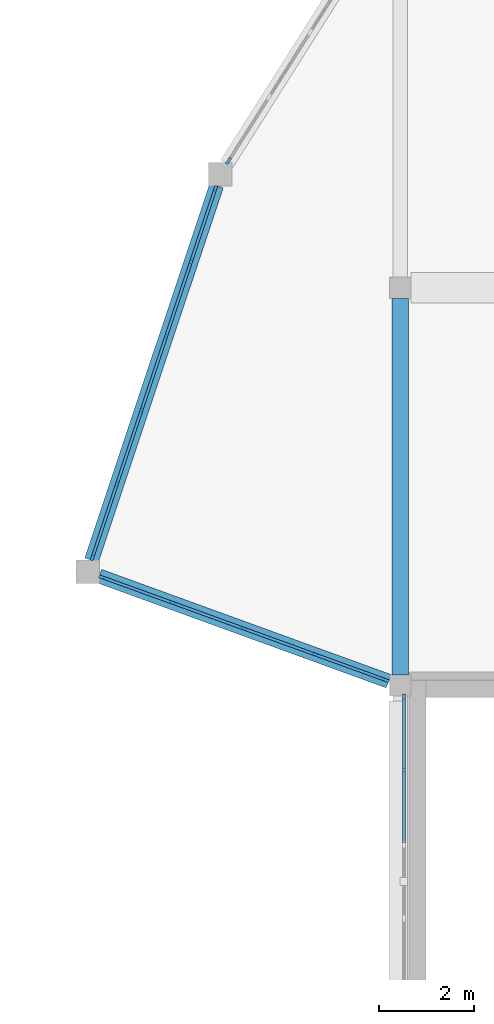
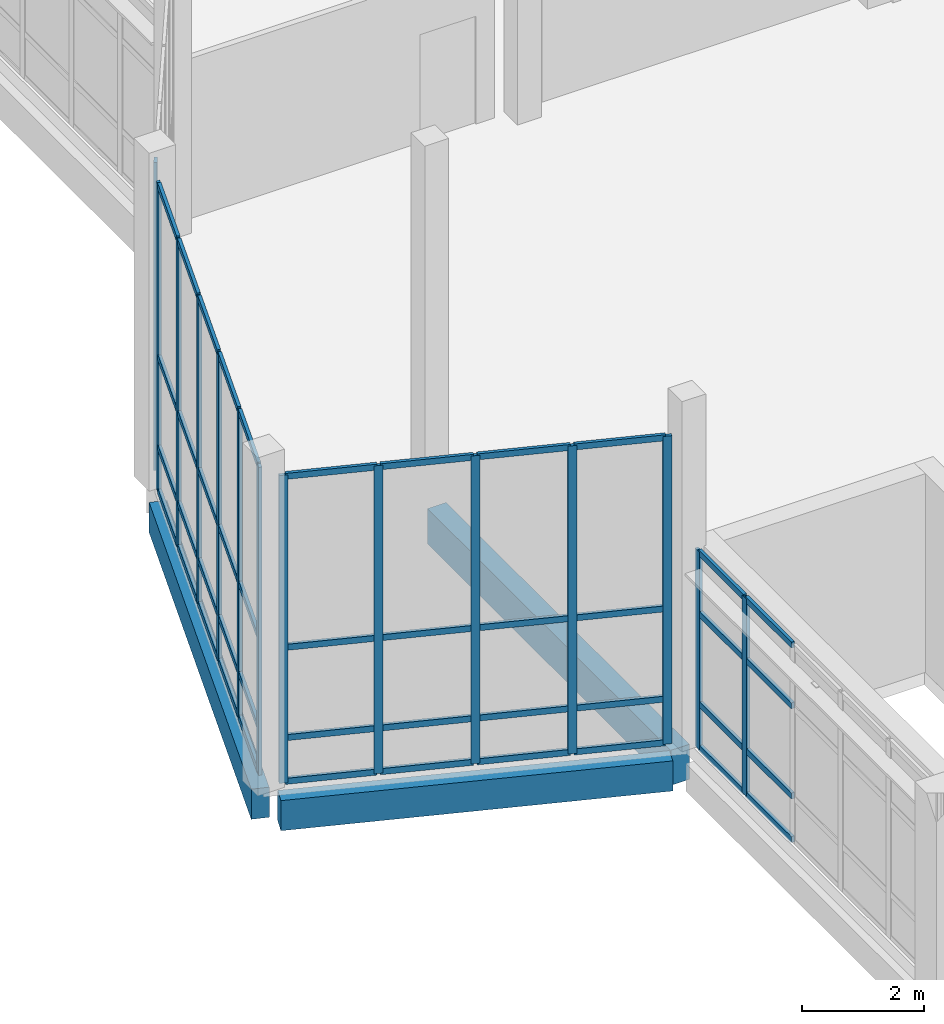
# One storey, part 31 of 78: 58 members, 3 beams, 4 elements without a shape of their own.
"""IFC4 building model written with IfcOpenShell, lengths in metres."""

from ifc_helpers import new_model, si_unit, direction, frame, origin, origin_2d, place, context, subcontext, project, spatial, rectangle, extrude, material, material_profile, profile_set, type_object, element, aggregate, save


model = new_model("IFC4")

# Units and contexts
model_context = context("Model", 3, precision=1e-05, world=origin(), true_north=direction((0.0, 1.0)))
body_context = subcontext(model_context, "Body", "Model", "MODEL_VIEW")
ifc_project = project(units=[si_unit("LENGTHUNIT", "METRE"), si_unit("AREAUNIT", "SQUARE_METRE"), si_unit("VOLUMEUNIT", "CUBIC_METRE"), si_unit("PLANEANGLEUNIT", "RADIAN"), si_unit("MASSUNIT", "GRAM", prefix="KILO")], contexts=[model_context])

# Site, building, storey
site_placement = place(None, origin())
site = spatial("IfcSite", under=ifc_project, at=site_placement, CompositionType="ELEMENT")
building_placement = place(site_placement, origin())
building = spatial("IfcBuilding", under=site, at=building_placement, Name="Qaldarim Faculty of Natural and Applied Sciences", CompositionType="ELEMENT")
storey_placement = place(building_placement, frame((0.0, 0.0, 18.60009765625)))
storey = spatial("IfcBuildingStorey", under=building, at=storey_placement, Name="L04", CompositionType="ELEMENT", Elevation=18.60009765625)

# Curtain wall, members
ifc_material_1 = material(Name="Anodised aluminium AW-6063", Category="aluminium")
curtain_wall_type = type_object("IfcCurtainWallType", Name="CurtainWallSystem-M1600", PredefinedType="USERDEFINED", material=ifc_material_1)
curtain_wall_1_placement = place(storey_placement, origin())
curtain_wall_1 = element("IfcCurtainWall", 1, at=curtain_wall_1_placement, inside=storey, type_object=curtain_wall_type, Name="Curtain wall CW-L04-W-X24Y08", ObjectType="UNITISED FACADE", PredefinedType="USERDEFINED")
ifc_material_profile_1 = material_profile(ifc_material_1, rectangle(XDim=0.06005859375, YDim=0.14990234375, at=origin_2d()), Name="ALU-M60x150")
ifc_profile_set_1 = profile_set([ifc_material_profile_1], Name="Anodised aluminium AW-6063")
member_type_1 = type_object("IfcMemberType", Name="Mullion-ALU60x150", PredefinedType="MULLION", material=ifc_profile_set_1)
member_1_placement = place(storey_placement, frame((151.8798828125, 66.949951171875, 0.0), z_axis=(0.0, 0.0, 1.0), x_axis=(1.0, 0.0, 0.0)))
member_1 = element("IfcMember", 2, at=member_1_placement, type_object=member_type_1, Name="Mullion 1 of CW-L04-W-X24Y08", PredefinedType="MULLION", context=body_context, shape_type="SweptSolid", body=[
    extrude(rectangle(XDim=0.06005859375, YDim=0.14990234375, at=origin_2d()), origin(), (0.0, 0.0, 1.0), 3.93994140625),
])
member_2_placement = place(storey_placement, frame((151.8798828125, 65.4130859375, 0.0), z_axis=(0.0, 0.0, 1.0), x_axis=(1.0, 0.0, 0.0)))
member_2 = element("IfcMember", 3, at=member_2_placement, type_object=member_type_1, Name="Mullion 2 of CW-L04-W-X24Y08", PredefinedType="MULLION", context=body_context, shape_type="SweptSolid", body=[
    extrude(rectangle(XDim=0.06005859375, YDim=0.14990234375, at=origin_2d()), origin(), (0.0, 0.0, 1.0), 3.93994140625),
])

# Curtain wall, member
curtain_wall_2_placement = place(storey_placement, origin())
curtain_wall_2 = element("IfcCurtainWall", 4, at=curtain_wall_2_placement, inside=storey, type_object=curtain_wall_type, Name="Curtain wall CW-PROW-L04-1", ObjectType="UNITISED FACADE", PredefinedType="USERDEFINED")
member_3_placement = place(storey_placement, frame((148.176025390625, 78.2802734375, 0.0), z_axis=(0.0, 0.0, 1.0), x_axis=(0.844608368004, -0.535384632481, 0.0)))
member_3 = element("IfcMember", 5, at=member_3_placement, type_object=member_type_1, Name="Mullion 5 of CW-PROW-L04-1", PredefinedType="MULLION", context=body_context, shape_type="SweptSolid", body=[
    extrude(rectangle(XDim=0.06005859375, YDim=0.14990234375, at=origin_2d()), origin(), (0.0, 0.0, 1.0), 6.139892578125),
])
aggregate(curtain_wall_2, [member_3])

# Curtain wall, members
curtain_wall_3_placement = place(storey_placement, origin())
curtain_wall_3 = element("IfcCurtainWall", 6, at=curtain_wall_3_placement, inside=storey, type_object=curtain_wall_type, Name="Curtain wall CW-PROW-L04-2", ObjectType="UNITISED FACADE", PredefinedType="USERDEFINED")
member_4_placement = place(storey_placement, frame((147.8955078125, 77.6865234375, 0.0), z_axis=(0.0, 0.0, 1.0), x_axis=(0.948683015593, -0.316228613389, 0.0)))
member_4 = element("IfcMember", 7, at=member_4_placement, type_object=member_type_1, Name="Mullion 1 of CW-PROW-L04-2", PredefinedType="MULLION", context=body_context, shape_type="SweptSolid", body=[
    extrude(rectangle(XDim=0.06005859375, YDim=0.14990234375, at=origin_2d()), origin(), (0.0, 0.0, 1.0), 6.139892578125),
])
member_5_placement = place(storey_placement, frame((147.383056640625, 76.14892578125, 0.0), z_axis=(0.0, 0.0, 1.0), x_axis=(0.948683015593, -0.316228613389, 0.0)))
member_5 = element("IfcMember", 8, at=member_5_placement, type_object=member_type_1, Name="Mullion 2 of CW-PROW-L04-2", PredefinedType="MULLION", context=body_context, shape_type="SweptSolid", body=[
    extrude(rectangle(XDim=0.06005859375, YDim=0.14990234375, at=origin_2d()), origin(), (0.0, 0.0, 1.0), 6.139892578125),
])
member_6_placement = place(storey_placement, frame((146.861083984375, 74.5830078125, 0.0), z_axis=(0.0, 0.0, 1.0), x_axis=(0.948683015593, -0.316228613389, 0.0)))
member_6 = element("IfcMember", 9, at=member_6_placement, type_object=member_type_1, Name="Mullion 3 of CW-PROW-L04-2", PredefinedType="MULLION", context=body_context, shape_type="SweptSolid", body=[
    extrude(rectangle(XDim=0.06005859375, YDim=0.14990234375, at=origin_2d()), origin(), (0.0, 0.0, 1.0), 6.139892578125),
])
member_7_placement = place(storey_placement, frame((146.339111328125, 73.01708984375, 0.0), z_axis=(0.0, 0.0, 1.0), x_axis=(0.948683015593, -0.316228613389, 0.0)))
member_7 = element("IfcMember", 10, at=member_7_placement, type_object=member_type_1, Name="Mullion 4 of CW-PROW-L04-2", PredefinedType="MULLION", context=body_context, shape_type="SweptSolid", body=[
    extrude(rectangle(XDim=0.06005859375, YDim=0.14990234375, at=origin_2d()), origin(), (0.0, 0.0, 1.0), 6.139892578125),
])
member_8_placement = place(storey_placement, frame((145.81689453125, 71.450927734375, 0.0), z_axis=(0.0, 0.0, 1.0), x_axis=(0.948683015593, -0.316228613389, 0.0)))
member_8 = element("IfcMember", 11, at=member_8_placement, type_object=member_type_1, Name="Mullion 5 of CW-PROW-L04-2", PredefinedType="MULLION", context=body_context, shape_type="SweptSolid", body=[
    extrude(rectangle(XDim=0.06005859375, YDim=0.14990234375, at=origin_2d()), origin(), (0.0, 0.0, 1.0), 6.139892578125),
])
member_9_placement = place(storey_placement, frame((145.304443359375, 69.91357421875, 0.0), z_axis=(0.0, 0.0, 1.0), x_axis=(0.948683015593, -0.316228613389, 0.0)))
member_9 = element("IfcMember", 12, at=member_9_placement, type_object=member_type_1, Name="Mullion 6 of CW-PROW-L04-2", PredefinedType="MULLION", context=body_context, shape_type="SweptSolid", body=[
    extrude(rectangle(XDim=0.06005859375, YDim=0.14990234375, at=origin_2d()), origin(), (0.0, 0.0, 1.0), 6.139892578125),
])

curtain_wall_4_placement = place(storey_placement, origin())
curtain_wall_4 = element("IfcCurtainWall", 13, at=curtain_wall_4_placement, inside=storey, type_object=curtain_wall_type, Name="Curtain wall CW-PROW-L04-3", ObjectType="UNITISED FACADE", PredefinedType="USERDEFINED")
member_10_placement = place(storey_placement, frame((145.50830078125, 69.48486328125, 0.0), z_axis=(0.0, 0.0, 1.0), x_axis=(0.340871837244, 0.94010977581, 0.0)))
member_10 = element("IfcMember", 14, at=member_10_placement, type_object=member_type_1, Name="Mullion 1 of CW-PROW-L04-3", PredefinedType="MULLION", context=body_context, shape_type="SweptSolid", body=[
    extrude(rectangle(XDim=0.06005859375, YDim=0.14990234375, at=origin_2d()), origin(), (0.0, 0.0, 1.0), 6.139892578125),
])
member_11_placement = place(storey_placement, frame((146.989990234375, 68.947509765625, 0.0), z_axis=(0.0, 0.0, 1.0), x_axis=(0.340871837244, 0.94010977581, 0.0)))
member_11 = element("IfcMember", 15, at=member_11_placement, type_object=member_type_1, Name="Mullion 2 of CW-PROW-L04-3", PredefinedType="MULLION", context=body_context, shape_type="SweptSolid", body=[
    extrude(rectangle(XDim=0.06005859375, YDim=0.14990234375, at=origin_2d()), origin(), (0.0, 0.0, 1.0), 6.139892578125),
])
member_12_placement = place(storey_placement, frame((148.5, 68.39990234375, 0.0), z_axis=(0.0, 0.0, 1.0), x_axis=(0.340871837244, 0.94010977581, 0.0)))
member_12 = element("IfcMember", 16, at=member_12_placement, type_object=member_type_1, Name="Mullion 3 of CW-PROW-L04-3", PredefinedType="MULLION", context=body_context, shape_type="SweptSolid", body=[
    extrude(rectangle(XDim=0.06005859375, YDim=0.14990234375, at=origin_2d()), origin(), (0.0, 0.0, 1.0), 6.139892578125),
])
member_13_placement = place(storey_placement, frame((150.010009765625, 67.8525390625, 0.0), z_axis=(0.0, 0.0, 1.0), x_axis=(0.340871837244, 0.94010977581, 0.0)))
member_13 = element("IfcMember", 17, at=member_13_placement, type_object=member_type_1, Name="Mullion 4 of CW-PROW-L04-3", PredefinedType="MULLION", context=body_context, shape_type="SweptSolid", body=[
    extrude(rectangle(XDim=0.06005859375, YDim=0.14990234375, at=origin_2d()), origin(), (0.0, 0.0, 1.0), 6.139892578125),
])
member_14_placement = place(storey_placement, frame((151.49169921875, 67.315185546875, 0.0), z_axis=(0.0, 0.0, 1.0), x_axis=(0.340871837244, 0.94010977581, 0.0)))
member_14 = element("IfcMember", 18, at=member_14_placement, type_object=member_type_1, Name="Mullion 5 of CW-PROW-L04-3", PredefinedType="MULLION", context=body_context, shape_type="SweptSolid", body=[
    extrude(rectangle(XDim=0.06005859375, YDim=0.14990234375, at=origin_2d()), origin(), (0.0, 0.0, 1.0), 6.139892578125),
])

# Beams
ifc_material_2 = material(Name="Concrete C40/50", Category="concrete")
ifc_material_profile_2 = material_profile(ifc_material_2, rectangle(XDim=0.35009765625, YDim=0.699951171875, at=origin_2d()), Name="RC-B350x700")
ifc_profile_set_2 = profile_set([ifc_material_profile_2], Name="Concrete C40/50")
beam_type_1 = type_object("IfcBeamType", Name="PrimaryGirder-RC350x700", PredefinedType="BEAM", material=ifc_profile_set_2)
beam_1_placement = place(storey_placement, frame((151.800048828125, 67.425048828125, -0.610107421875), z_axis=(0.0, 1.0, 0.0), x_axis=(-1.0, 0.0, 0.0)))
element("IfcBeam", 19, at=beam_1_placement, inside=storey, type_object=beam_type_1, Name="Beam RC-B350x700 L03 X24/Y09-Y10", PredefinedType="BEAM", context=body_context, shape_type="SweptSolid", body=[
    extrude(rectangle(XDim=0.35009765625, YDim=0.699951171875, at=origin_2d()), origin(), (0.0, 0.0, 1.0), 7.949951171875),
])
ifc_material_3 = material(Name="Precast concrete C40/50", Category="concrete")
ifc_material_profile_3 = material_profile(ifc_material_3, rectangle(XDim=0.300048828125, YDim=0.60009765625, at=origin_2d()), Name="RC-SP300x600")
ifc_profile_set_3 = profile_set([ifc_material_profile_3], Name="Precast concrete C40/50")
beam_type_2 = type_object("IfcBeamType", Name="SpandrelBeam-RC300x600", PredefinedType="SPANDREL", material=ifc_profile_set_3)
beam_2_placement = place(storey_placement, frame((151.554931640625, 67.2900390625, -0.56005859375), z_axis=(-0.939882210861, 0.341498798983, 0.0), x_axis=(-0.341498798983, -0.939882210861, 0.0)))
element("IfcBeam", 20, at=beam_2_placement, inside=storey, type_object=beam_type_2, Name="Learning Commons angled prow spandrel L03 1", PredefinedType="SPANDREL", context=body_context, shape_type="SweptSolid", body=[
    extrude(rectangle(XDim=0.300048828125, YDim=0.60009765625, at=origin_2d()), origin(), (0.0, 0.0, 1.0), 6.500732421875),
])
beam_3_placement = place(storey_placement, frame((145.280029296875, 69.844970703125, -0.56005859375), z_axis=(0.316579075961, 0.948566122452, 0.0), x_axis=(-0.948566122452, 0.316579075961, 0.0)))
element("IfcBeam", 21, at=beam_3_placement, inside=storey, type_object=beam_type_2, Name="Learning Commons angled prow spandrel L03 2", PredefinedType="SPANDREL", context=body_context, shape_type="SweptSolid", body=[
    extrude(rectangle(XDim=0.300048828125, YDim=0.60009765625, at=origin_2d()), origin(), (0.0, 0.0, 1.0), 8.3388671875),
])

# Member
ifc_material_profile_4 = material_profile(ifc_material_1, rectangle(XDim=0.06005859375, YDim=0.1201171875, at=origin_2d()), Name="ALU-T60x120")
ifc_profile_set_4 = profile_set([ifc_material_profile_4], Name="Anodised aluminium AW-6063")
member_type_2 = type_object("IfcMemberType", Name="Transom-ALU60x120", PredefinedType="USERDEFINED", material=ifc_profile_set_4)
member_15_placement = place(storey_placement, frame((151.8798828125, 66.919921875, 0.02978515625), z_axis=(0.0, -1.0, 0.0), x_axis=(1.0, 0.0, 0.0)))
member_15 = element("IfcMember", 22, at=member_15_placement, type_object=member_type_2, Name="Transom 1-1 of CW-L04-W-X24Y08", ObjectType="TRANSOM", PredefinedType="USERDEFINED", context=body_context, shape_type="SweptSolid", body=[
    extrude(rectangle(XDim=0.06005859375, YDim=0.1201171875, at=origin_2d()), origin(), (0.0, 0.0, 1.0), 1.476806640625),
])

member_16_placement = place(storey_placement, frame((151.8798828125, 66.919921875, 0.89990234375), z_axis=(0.0, -1.0, 0.0), x_axis=(1.0, 0.0, 0.0)))
member_16 = element("IfcMember", 23, at=member_16_placement, type_object=member_type_2, Name="Transom 1-2 of CW-L04-W-X24Y08", ObjectType="TRANSOM", PredefinedType="USERDEFINED", context=body_context, shape_type="SweptSolid", body=[
    extrude(rectangle(XDim=0.06005859375, YDim=0.1201171875, at=origin_2d()), origin(), (0.0, 0.0, 1.0), 1.476806640625),
])

member_17_placement = place(storey_placement, frame((151.8798828125, 66.919921875, 2.699951171875), z_axis=(0.0, -1.0, 0.0), x_axis=(1.0, 0.0, 0.0)))
member_17 = element("IfcMember", 24, at=member_17_placement, type_object=member_type_2, Name="Transom 1-3 of CW-L04-W-X24Y08", ObjectType="TRANSOM", PredefinedType="USERDEFINED", context=body_context, shape_type="SweptSolid", body=[
    extrude(rectangle(XDim=0.06005859375, YDim=0.1201171875, at=origin_2d()), origin(), (0.0, 0.0, 1.0), 1.476806640625),
])

member_18_placement = place(storey_placement, frame((151.8798828125, 66.919921875, 3.909912109375), z_axis=(0.0, -1.0, 0.0), x_axis=(1.0, 0.0, 0.0)))
member_18 = element("IfcMember", 25, at=member_18_placement, type_object=member_type_2, Name="Transom 1-4 of CW-L04-W-X24Y08", ObjectType="TRANSOM", PredefinedType="USERDEFINED", context=body_context, shape_type="SweptSolid", body=[
    extrude(rectangle(XDim=0.06005859375, YDim=0.1201171875, at=origin_2d()), origin(), (0.0, 0.0, 1.0), 1.476806640625),
])

member_19_placement = place(storey_placement, frame((151.8798828125, 65.383056640625, 0.02978515625), z_axis=(0.0, -1.0, 0.0), x_axis=(1.0, 0.0, 0.0)))
member_19 = element("IfcMember", 26, at=member_19_placement, type_object=member_type_2, Name="Transom 2-1 of CW-L04-W-X24Y08", ObjectType="TRANSOM", PredefinedType="USERDEFINED", context=body_context, shape_type="SweptSolid", body=[
    extrude(rectangle(XDim=0.06005859375, YDim=0.1201171875, at=origin_2d()), origin(), (0.0, 0.0, 1.0), 1.507080078125),
])

member_20_placement = place(storey_placement, frame((151.8798828125, 65.383056640625, 0.89990234375), z_axis=(0.0, -1.0, 0.0), x_axis=(1.0, 0.0, 0.0)))
member_20 = element("IfcMember", 27, at=member_20_placement, type_object=member_type_2, Name="Transom 2-2 of CW-L04-W-X24Y08", ObjectType="TRANSOM", PredefinedType="USERDEFINED", context=body_context, shape_type="SweptSolid", body=[
    extrude(rectangle(XDim=0.06005859375, YDim=0.1201171875, at=origin_2d()), origin(), (0.0, 0.0, 1.0), 1.507080078125),
])

member_21_placement = place(storey_placement, frame((151.8798828125, 65.383056640625, 2.699951171875), z_axis=(0.0, -1.0, 0.0), x_axis=(1.0, 0.0, 0.0)))
member_21 = element("IfcMember", 28, at=member_21_placement, type_object=member_type_2, Name="Transom 2-3 of CW-L04-W-X24Y08", ObjectType="TRANSOM", PredefinedType="USERDEFINED", context=body_context, shape_type="SweptSolid", body=[
    extrude(rectangle(XDim=0.06005859375, YDim=0.1201171875, at=origin_2d()), origin(), (0.0, 0.0, 1.0), 1.507080078125),
])

member_22_placement = place(storey_placement, frame((151.8798828125, 65.383056640625, 3.909912109375), z_axis=(0.0, -1.0, 0.0), x_axis=(1.0, 0.0, 0.0)))
member_22 = element("IfcMember", 29, at=member_22_placement, type_object=member_type_2, Name="Transom 2-4 of CW-L04-W-X24Y08", ObjectType="TRANSOM", PredefinedType="USERDEFINED", context=body_context, shape_type="SweptSolid", body=[
    extrude(rectangle(XDim=0.06005859375, YDim=0.1201171875, at=origin_2d()), origin(), (0.0, 0.0, 1.0), 1.507080078125),
])

aggregate(curtain_wall_1, [member_1, member_2, member_15, member_16, member_17, member_18, member_19, member_20, member_21, member_22])

member_23_placement = place(storey_placement, frame((147.885986328125, 77.658203125, 0.02978515625), z_axis=(-0.316133909771, -0.948714578307, 0.0), x_axis=(0.948714578307, -0.316133909771, 0.0)))
member_23 = element("IfcMember", 30, at=member_23_placement, type_object=member_type_2, Name="Transom 1-1 of CW-PROW-L04-2", ObjectType="TRANSOM", PredefinedType="USERDEFINED", context=body_context, shape_type="SweptSolid", body=[
    extrude(rectangle(XDim=0.06005859375, YDim=0.1201171875, at=origin_2d()), origin(), (0.0, 0.0, 1.0), 1.560791015625),
])

member_24_placement = place(storey_placement, frame((147.885986328125, 77.658203125, 0.89990234375), z_axis=(-0.316133909771, -0.948714578307, 0.0), x_axis=(0.948714578307, -0.316133909771, 0.0)))
member_24 = element("IfcMember", 31, at=member_24_placement, type_object=member_type_2, Name="Transom 1-2 of CW-PROW-L04-2", ObjectType="TRANSOM", PredefinedType="USERDEFINED", context=body_context, shape_type="SweptSolid", body=[
    extrude(rectangle(XDim=0.06005859375, YDim=0.1201171875, at=origin_2d()), origin(), (0.0, 0.0, 1.0), 1.560791015625),
])

member_25_placement = place(storey_placement, frame((147.885986328125, 77.658203125, 2.699951171875), z_axis=(-0.316133909771, -0.948714578307, 0.0), x_axis=(0.948714578307, -0.316133909771, 0.0)))
member_25 = element("IfcMember", 32, at=member_25_placement, type_object=member_type_2, Name="Transom 1-3 of CW-PROW-L04-2", ObjectType="TRANSOM", PredefinedType="USERDEFINED", context=body_context, shape_type="SweptSolid", body=[
    extrude(rectangle(XDim=0.06005859375, YDim=0.1201171875, at=origin_2d()), origin(), (0.0, 0.0, 1.0), 1.560791015625),
])

member_26_placement = place(storey_placement, frame((147.885986328125, 77.658203125, 6.10986328125), z_axis=(-0.316133909771, -0.948714578307, 0.0), x_axis=(0.948714578307, -0.316133909771, 0.0)))
member_26 = element("IfcMember", 33, at=member_26_placement, type_object=member_type_2, Name="Transom 1-4 of CW-PROW-L04-2", ObjectType="TRANSOM", PredefinedType="USERDEFINED", context=body_context, shape_type="SweptSolid", body=[
    extrude(rectangle(XDim=0.06005859375, YDim=0.1201171875, at=origin_2d()), origin(), (0.0, 0.0, 1.0), 1.560791015625),
])

member_27_placement = place(storey_placement, frame((147.37353515625, 76.12060546875, 0.02978515625), z_axis=(-0.316181719763, -0.94869864556, 0.0), x_axis=(0.94869864556, -0.316181719763, 0.0)))
member_27 = element("IfcMember", 34, at=member_27_placement, type_object=member_type_2, Name="Transom 2-1 of CW-PROW-L04-2", ObjectType="TRANSOM", PredefinedType="USERDEFINED", context=body_context, shape_type="SweptSolid", body=[
    extrude(rectangle(XDim=0.06005859375, YDim=0.1201171875, at=origin_2d()), origin(), (0.0, 0.0, 1.0), 1.590576171875),
])

member_28_placement = place(storey_placement, frame((147.37353515625, 76.12060546875, 0.89990234375), z_axis=(-0.316181719763, -0.94869864556, 0.0), x_axis=(0.94869864556, -0.316181719763, 0.0)))
member_28 = element("IfcMember", 35, at=member_28_placement, type_object=member_type_2, Name="Transom 2-2 of CW-PROW-L04-2", ObjectType="TRANSOM", PredefinedType="USERDEFINED", context=body_context, shape_type="SweptSolid", body=[
    extrude(rectangle(XDim=0.06005859375, YDim=0.1201171875, at=origin_2d()), origin(), (0.0, 0.0, 1.0), 1.590576171875),
])

member_29_placement = place(storey_placement, frame((147.37353515625, 76.12060546875, 2.699951171875), z_axis=(-0.316181719763, -0.94869864556, 0.0), x_axis=(0.94869864556, -0.316181719763, 0.0)))
member_29 = element("IfcMember", 36, at=member_29_placement, type_object=member_type_2, Name="Transom 2-3 of CW-PROW-L04-2", ObjectType="TRANSOM", PredefinedType="USERDEFINED", context=body_context, shape_type="SweptSolid", body=[
    extrude(rectangle(XDim=0.06005859375, YDim=0.1201171875, at=origin_2d()), origin(), (0.0, 0.0, 1.0), 1.590576171875),
])

member_30_placement = place(storey_placement, frame((147.37353515625, 76.12060546875, 6.10986328125), z_axis=(-0.316181719763, -0.94869864556, 0.0), x_axis=(0.94869864556, -0.316181719763, 0.0)))
member_30 = element("IfcMember", 37, at=member_30_placement, type_object=member_type_2, Name="Transom 2-4 of CW-PROW-L04-2", ObjectType="TRANSOM", PredefinedType="USERDEFINED", context=body_context, shape_type="SweptSolid", body=[
    extrude(rectangle(XDim=0.06005859375, YDim=0.1201171875, at=origin_2d()), origin(), (0.0, 0.0, 1.0), 1.590576171875),
])

member_31_placement = place(storey_placement, frame((146.8515625, 74.554443359375, 0.02978515625), z_axis=(-0.31631985182, -0.948652597817, 0.0), x_axis=(0.948652597817, -0.31631985182, 0.0)))
member_31 = element("IfcMember", 38, at=member_31_placement, type_object=member_type_2, Name="Transom 3-1 of CW-PROW-L04-2", ObjectType="TRANSOM", PredefinedType="USERDEFINED", context=body_context, shape_type="SweptSolid", body=[
    extrude(rectangle(XDim=0.06005859375, YDim=0.1201171875, at=origin_2d()), origin(), (0.0, 0.0, 1.0), 1.5908203125),
])

member_32_placement = place(storey_placement, frame((146.8515625, 74.554443359375, 0.89990234375), z_axis=(-0.31631985182, -0.948652597817, 0.0), x_axis=(0.948652597817, -0.31631985182, 0.0)))
member_32 = element("IfcMember", 39, at=member_32_placement, type_object=member_type_2, Name="Transom 3-2 of CW-PROW-L04-2", ObjectType="TRANSOM", PredefinedType="USERDEFINED", context=body_context, shape_type="SweptSolid", body=[
    extrude(rectangle(XDim=0.06005859375, YDim=0.1201171875, at=origin_2d()), origin(), (0.0, 0.0, 1.0), 1.5908203125),
])

member_33_placement = place(storey_placement, frame((146.8515625, 74.554443359375, 2.699951171875), z_axis=(-0.31631985182, -0.948652597817, 0.0), x_axis=(0.948652597817, -0.31631985182, 0.0)))
member_33 = element("IfcMember", 40, at=member_33_placement, type_object=member_type_2, Name="Transom 3-3 of CW-PROW-L04-2", ObjectType="TRANSOM", PredefinedType="USERDEFINED", context=body_context, shape_type="SweptSolid", body=[
    extrude(rectangle(XDim=0.06005859375, YDim=0.1201171875, at=origin_2d()), origin(), (0.0, 0.0, 1.0), 1.5908203125),
])

member_34_placement = place(storey_placement, frame((146.8515625, 74.554443359375, 6.10986328125), z_axis=(-0.31631985182, -0.948652597817, 0.0), x_axis=(0.948652597817, -0.31631985182, 0.0)))
member_34 = element("IfcMember", 41, at=member_34_placement, type_object=member_type_2, Name="Transom 3-4 of CW-PROW-L04-2", ObjectType="TRANSOM", PredefinedType="USERDEFINED", context=body_context, shape_type="SweptSolid", body=[
    extrude(rectangle(XDim=0.06005859375, YDim=0.1201171875, at=origin_2d()), origin(), (0.0, 0.0, 1.0), 1.5908203125),
])

member_35_placement = place(storey_placement, frame((146.32958984375, 72.988525390625, 0.02978515625), z_axis=(-0.31631985182, -0.948652597817, 0.0), x_axis=(0.948652597817, -0.31631985182, 0.0)))
member_35 = element("IfcMember", 42, at=member_35_placement, type_object=member_type_2, Name="Transom 4-1 of CW-PROW-L04-2", ObjectType="TRANSOM", PredefinedType="USERDEFINED", context=body_context, shape_type="SweptSolid", body=[
    extrude(rectangle(XDim=0.06005859375, YDim=0.1201171875, at=origin_2d()), origin(), (0.0, 0.0, 1.0), 1.5908203125),
])

member_36_placement = place(storey_placement, frame((146.32958984375, 72.988525390625, 0.89990234375), z_axis=(-0.31631985182, -0.948652597817, 0.0), x_axis=(0.948652597817, -0.31631985182, 0.0)))
member_36 = element("IfcMember", 43, at=member_36_placement, type_object=member_type_2, Name="Transom 4-2 of CW-PROW-L04-2", ObjectType="TRANSOM", PredefinedType="USERDEFINED", context=body_context, shape_type="SweptSolid", body=[
    extrude(rectangle(XDim=0.06005859375, YDim=0.1201171875, at=origin_2d()), origin(), (0.0, 0.0, 1.0), 1.5908203125),
])

member_37_placement = place(storey_placement, frame((146.32958984375, 72.988525390625, 2.699951171875), z_axis=(-0.31631985182, -0.948652597817, 0.0), x_axis=(0.948652597817, -0.31631985182, 0.0)))
member_37 = element("IfcMember", 44, at=member_37_placement, type_object=member_type_2, Name="Transom 4-3 of CW-PROW-L04-2", ObjectType="TRANSOM", PredefinedType="USERDEFINED", context=body_context, shape_type="SweptSolid", body=[
    extrude(rectangle(XDim=0.06005859375, YDim=0.1201171875, at=origin_2d()), origin(), (0.0, 0.0, 1.0), 1.5908203125),
])

member_38_placement = place(storey_placement, frame((146.32958984375, 72.988525390625, 6.10986328125), z_axis=(-0.31631985182, -0.948652597817, 0.0), x_axis=(0.948652597817, -0.31631985182, 0.0)))
member_38 = element("IfcMember", 45, at=member_38_placement, type_object=member_type_2, Name="Transom 4-4 of CW-PROW-L04-2", ObjectType="TRANSOM", PredefinedType="USERDEFINED", context=body_context, shape_type="SweptSolid", body=[
    extrude(rectangle(XDim=0.06005859375, YDim=0.1201171875, at=origin_2d()), origin(), (0.0, 0.0, 1.0), 1.5908203125),
])

member_39_placement = place(storey_placement, frame((145.8076171875, 71.422607421875, 0.02978515625), z_axis=(-0.316274690658, -0.948667655214, 0.0), x_axis=(0.948667655214, -0.316274690658, 0.0)))
member_39 = element("IfcMember", 46, at=member_39_placement, type_object=member_type_2, Name="Transom 5-1 of CW-PROW-L04-2", ObjectType="TRANSOM", PredefinedType="USERDEFINED", context=body_context, shape_type="SweptSolid", body=[
    extrude(rectangle(XDim=0.06005859375, YDim=0.1201171875, at=origin_2d()), origin(), (0.0, 0.0, 1.0), 1.560791015625),
])

member_40_placement = place(storey_placement, frame((145.8076171875, 71.422607421875, 0.89990234375), z_axis=(-0.316274690658, -0.948667655214, 0.0), x_axis=(0.948667655214, -0.316274690658, 0.0)))
member_40 = element("IfcMember", 47, at=member_40_placement, type_object=member_type_2, Name="Transom 5-2 of CW-PROW-L04-2", ObjectType="TRANSOM", PredefinedType="USERDEFINED", context=body_context, shape_type="SweptSolid", body=[
    extrude(rectangle(XDim=0.06005859375, YDim=0.1201171875, at=origin_2d()), origin(), (0.0, 0.0, 1.0), 1.560791015625),
])

member_41_placement = place(storey_placement, frame((145.8076171875, 71.422607421875, 2.699951171875), z_axis=(-0.316274690658, -0.948667655214, 0.0), x_axis=(0.948667655214, -0.316274690658, 0.0)))
member_41 = element("IfcMember", 48, at=member_41_placement, type_object=member_type_2, Name="Transom 5-3 of CW-PROW-L04-2", ObjectType="TRANSOM", PredefinedType="USERDEFINED", context=body_context, shape_type="SweptSolid", body=[
    extrude(rectangle(XDim=0.06005859375, YDim=0.1201171875, at=origin_2d()), origin(), (0.0, 0.0, 1.0), 1.560791015625),
])

member_42_placement = place(storey_placement, frame((145.8076171875, 71.422607421875, 6.10986328125), z_axis=(-0.316274690658, -0.948667655214, 0.0), x_axis=(0.948667655214, -0.316274690658, 0.0)))
member_42 = element("IfcMember", 49, at=member_42_placement, type_object=member_type_2, Name="Transom 5-4 of CW-PROW-L04-2", ObjectType="TRANSOM", PredefinedType="USERDEFINED", context=body_context, shape_type="SweptSolid", body=[
    extrude(rectangle(XDim=0.06005859375, YDim=0.1201171875, at=origin_2d()), origin(), (0.0, 0.0, 1.0), 1.560791015625),
])

aggregate(curtain_wall_3, [member_4, member_5, member_6, member_7, member_8, member_9, member_23, member_24, member_25, member_26, member_27, member_28, member_29, member_30, member_31, member_32, member_33, member_34, member_35, member_36, member_37, member_38, member_39, member_40, member_41, member_42])

member_43_placement = place(storey_placement, frame((145.536376953125, 69.474609375, 0.02978515625), z_axis=(0.940117363771, -0.340850909249, 0.0), x_axis=(0.340850909249, 0.940117363771, 0.0)))
member_43 = element("IfcMember", 50, at=member_43_placement, type_object=member_type_2, Name="Transom 1-1 of CW-PROW-L04-3", ObjectType="TRANSOM", PredefinedType="USERDEFINED", context=body_context, shape_type="SweptSolid", body=[
    extrude(rectangle(XDim=0.06005859375, YDim=0.1201171875, at=origin_2d()), origin(), (0.0, 0.0, 1.0), 1.516357421875),
])

member_44_placement = place(storey_placement, frame((145.536376953125, 69.474609375, 0.89990234375), z_axis=(0.940117363771, -0.340850909249, 0.0), x_axis=(0.340850909249, 0.940117363771, 0.0)))
member_44 = element("IfcMember", 51, at=member_44_placement, type_object=member_type_2, Name="Transom 1-2 of CW-PROW-L04-3", ObjectType="TRANSOM", PredefinedType="USERDEFINED", context=body_context, shape_type="SweptSolid", body=[
    extrude(rectangle(XDim=0.06005859375, YDim=0.1201171875, at=origin_2d()), origin(), (0.0, 0.0, 1.0), 1.516357421875),
])

member_45_placement = place(storey_placement, frame((145.536376953125, 69.474609375, 2.699951171875), z_axis=(0.940117363771, -0.340850909249, 0.0), x_axis=(0.340850909249, 0.940117363771, 0.0)))
member_45 = element("IfcMember", 52, at=member_45_placement, type_object=member_type_2, Name="Transom 1-3 of CW-PROW-L04-3", ObjectType="TRANSOM", PredefinedType="USERDEFINED", context=body_context, shape_type="SweptSolid", body=[
    extrude(rectangle(XDim=0.06005859375, YDim=0.1201171875, at=origin_2d()), origin(), (0.0, 0.0, 1.0), 1.516357421875),
])

member_46_placement = place(storey_placement, frame((145.536376953125, 69.474609375, 6.10986328125), z_axis=(0.940117363771, -0.340850909249, 0.0), x_axis=(0.340850909249, 0.940117363771, 0.0)))
member_46 = element("IfcMember", 53, at=member_46_placement, type_object=member_type_2, Name="Transom 1-4 of CW-PROW-L04-3", ObjectType="TRANSOM", PredefinedType="USERDEFINED", context=body_context, shape_type="SweptSolid", body=[
    extrude(rectangle(XDim=0.06005859375, YDim=0.1201171875, at=origin_2d()), origin(), (0.0, 0.0, 1.0), 1.516357421875),
])

member_47_placement = place(storey_placement, frame((147.018310546875, 68.937255859375, 0.02978515625), z_axis=(0.940083560197, -0.340944130097, 0.0), x_axis=(0.340944130097, 0.940083560197, 0.0)))
member_47 = element("IfcMember", 54, at=member_47_placement, type_object=member_type_2, Name="Transom 2-1 of CW-PROW-L04-3", ObjectType="TRANSOM", PredefinedType="USERDEFINED", context=body_context, shape_type="SweptSolid", body=[
    extrude(rectangle(XDim=0.06005859375, YDim=0.1201171875, at=origin_2d()), origin(), (0.0, 0.0, 1.0), 1.5458984375),
])

member_48_placement = place(storey_placement, frame((147.018310546875, 68.937255859375, 0.89990234375), z_axis=(0.940083560197, -0.340944130097, 0.0), x_axis=(0.340944130097, 0.940083560197, 0.0)))
member_48 = element("IfcMember", 55, at=member_48_placement, type_object=member_type_2, Name="Transom 2-2 of CW-PROW-L04-3", ObjectType="TRANSOM", PredefinedType="USERDEFINED", context=body_context, shape_type="SweptSolid", body=[
    extrude(rectangle(XDim=0.06005859375, YDim=0.1201171875, at=origin_2d()), origin(), (0.0, 0.0, 1.0), 1.5458984375),
])

member_49_placement = place(storey_placement, frame((147.018310546875, 68.937255859375, 2.699951171875), z_axis=(0.940083560197, -0.340944130097, 0.0), x_axis=(0.340944130097, 0.940083560197, 0.0)))
member_49 = element("IfcMember", 56, at=member_49_placement, type_object=member_type_2, Name="Transom 2-3 of CW-PROW-L04-3", ObjectType="TRANSOM", PredefinedType="USERDEFINED", context=body_context, shape_type="SweptSolid", body=[
    extrude(rectangle(XDim=0.06005859375, YDim=0.1201171875, at=origin_2d()), origin(), (0.0, 0.0, 1.0), 1.5458984375),
])

member_50_placement = place(storey_placement, frame((147.018310546875, 68.937255859375, 6.10986328125), z_axis=(0.940083560197, -0.340944130097, 0.0), x_axis=(0.340944130097, 0.940083560197, 0.0)))
member_50 = element("IfcMember", 57, at=member_50_placement, type_object=member_type_2, Name="Transom 2-4 of CW-PROW-L04-3", ObjectType="TRANSOM", PredefinedType="USERDEFINED", context=body_context, shape_type="SweptSolid", body=[
    extrude(rectangle(XDim=0.06005859375, YDim=0.1201171875, at=origin_2d()), origin(), (0.0, 0.0, 1.0), 1.5458984375),
])

member_51_placement = place(storey_placement, frame((148.5283203125, 68.389892578125, 0.02978515625), z_axis=(0.940083560197, -0.340944130097, 0.0), x_axis=(0.340944130097, 0.940083560197, 0.0)))
member_51 = element("IfcMember", 58, at=member_51_placement, type_object=member_type_2, Name="Transom 3-1 of CW-PROW-L04-3", ObjectType="TRANSOM", PredefinedType="USERDEFINED", context=body_context, shape_type="SweptSolid", body=[
    extrude(rectangle(XDim=0.06005859375, YDim=0.1201171875, at=origin_2d()), origin(), (0.0, 0.0, 1.0), 1.5458984375),
])

member_52_placement = place(storey_placement, frame((148.5283203125, 68.389892578125, 0.89990234375), z_axis=(0.940083560197, -0.340944130097, 0.0), x_axis=(0.340944130097, 0.940083560197, 0.0)))
member_52 = element("IfcMember", 59, at=member_52_placement, type_object=member_type_2, Name="Transom 3-2 of CW-PROW-L04-3", ObjectType="TRANSOM", PredefinedType="USERDEFINED", context=body_context, shape_type="SweptSolid", body=[
    extrude(rectangle(XDim=0.06005859375, YDim=0.1201171875, at=origin_2d()), origin(), (0.0, 0.0, 1.0), 1.5458984375),
])

member_53_placement = place(storey_placement, frame((148.5283203125, 68.389892578125, 2.699951171875), z_axis=(0.940083560197, -0.340944130097, 0.0), x_axis=(0.340944130097, 0.940083560197, 0.0)))
member_53 = element("IfcMember", 60, at=member_53_placement, type_object=member_type_2, Name="Transom 3-3 of CW-PROW-L04-3", ObjectType="TRANSOM", PredefinedType="USERDEFINED", context=body_context, shape_type="SweptSolid", body=[
    extrude(rectangle(XDim=0.06005859375, YDim=0.1201171875, at=origin_2d()), origin(), (0.0, 0.0, 1.0), 1.5458984375),
])

member_54_placement = place(storey_placement, frame((148.5283203125, 68.389892578125, 6.10986328125), z_axis=(0.940083560197, -0.340944130097, 0.0), x_axis=(0.340944130097, 0.940083560197, 0.0)))
member_54 = element("IfcMember", 61, at=member_54_placement, type_object=member_type_2, Name="Transom 3-4 of CW-PROW-L04-3", ObjectType="TRANSOM", PredefinedType="USERDEFINED", context=body_context, shape_type="SweptSolid", body=[
    extrude(rectangle(XDim=0.06005859375, YDim=0.1201171875, at=origin_2d()), origin(), (0.0, 0.0, 1.0), 1.5458984375),
])

member_55_placement = place(storey_placement, frame((150.0380859375, 67.84228515625, 0.02978515625), z_axis=(0.940117363771, -0.340850909249, 0.0), x_axis=(0.340850909249, 0.940117363771, 0.0)))
member_55 = element("IfcMember", 62, at=member_55_placement, type_object=member_type_2, Name="Transom 4-1 of CW-PROW-L04-3", ObjectType="TRANSOM", PredefinedType="USERDEFINED", context=body_context, shape_type="SweptSolid", body=[
    extrude(rectangle(XDim=0.06005859375, YDim=0.1201171875, at=origin_2d()), origin(), (0.0, 0.0, 1.0), 1.516357421875),
])

member_56_placement = place(storey_placement, frame((150.0380859375, 67.84228515625, 0.89990234375), z_axis=(0.940117363771, -0.340850909249, 0.0), x_axis=(0.340850909249, 0.940117363771, 0.0)))
member_56 = element("IfcMember", 63, at=member_56_placement, type_object=member_type_2, Name="Transom 4-2 of CW-PROW-L04-3", ObjectType="TRANSOM", PredefinedType="USERDEFINED", context=body_context, shape_type="SweptSolid", body=[
    extrude(rectangle(XDim=0.06005859375, YDim=0.1201171875, at=origin_2d()), origin(), (0.0, 0.0, 1.0), 1.516357421875),
])

member_57_placement = place(storey_placement, frame((150.0380859375, 67.84228515625, 2.699951171875), z_axis=(0.940117363771, -0.340850909249, 0.0), x_axis=(0.340850909249, 0.940117363771, 0.0)))
member_57 = element("IfcMember", 64, at=member_57_placement, type_object=member_type_2, Name="Transom 4-3 of CW-PROW-L04-3", ObjectType="TRANSOM", PredefinedType="USERDEFINED", context=body_context, shape_type="SweptSolid", body=[
    extrude(rectangle(XDim=0.06005859375, YDim=0.1201171875, at=origin_2d()), origin(), (0.0, 0.0, 1.0), 1.516357421875),
])

member_58_placement = place(storey_placement, frame((150.0380859375, 67.84228515625, 6.10986328125), z_axis=(0.940117363771, -0.340850909249, 0.0), x_axis=(0.340850909249, 0.940117363771, 0.0)))
member_58 = element("IfcMember", 65, at=member_58_placement, type_object=member_type_2, Name="Transom 4-4 of CW-PROW-L04-3", ObjectType="TRANSOM", PredefinedType="USERDEFINED", context=body_context, shape_type="SweptSolid", body=[
    extrude(rectangle(XDim=0.06005859375, YDim=0.1201171875, at=origin_2d()), origin(), (0.0, 0.0, 1.0), 1.516357421875),
])

aggregate(curtain_wall_4, [member_10, member_11, member_12, member_13, member_14, member_43, member_44, member_45, member_46, member_47, member_48, member_49, member_50, member_51, member_52, member_53, member_54, member_55, member_56, member_57, member_58])

save(model, "model.ifc")
